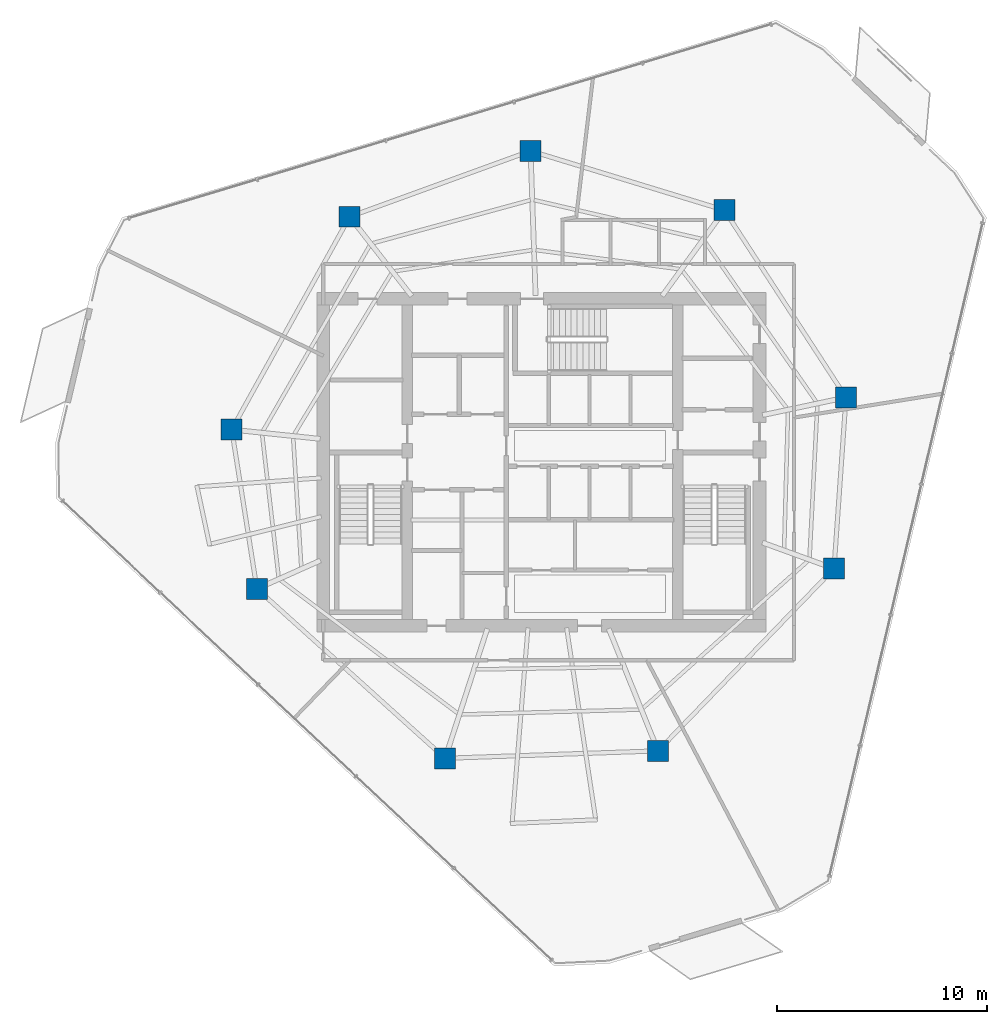
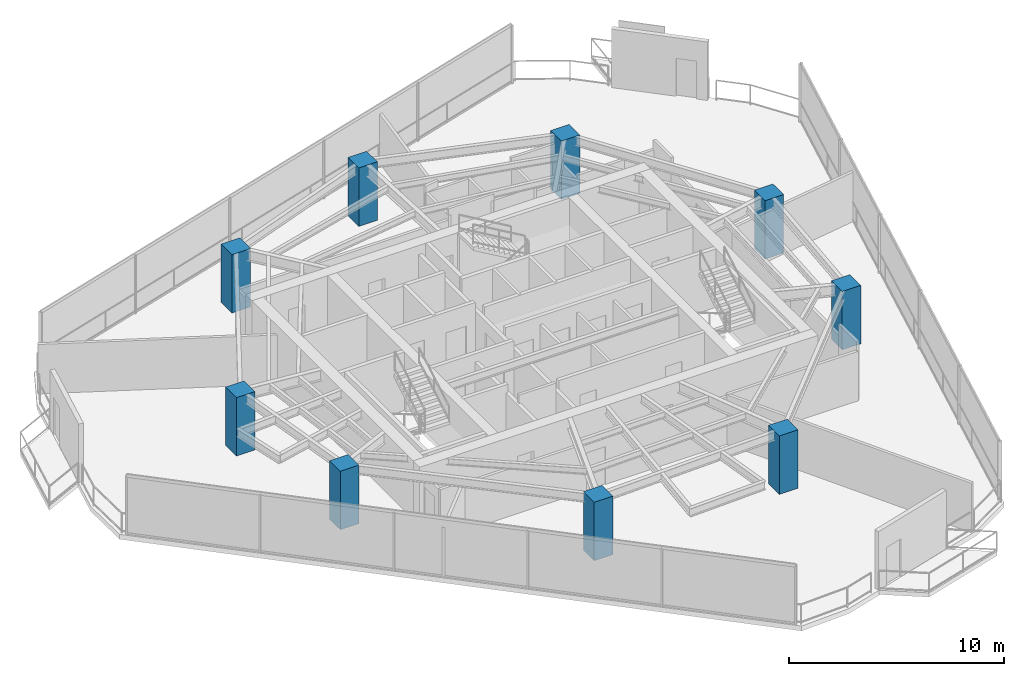
# One storey, part 1 of 19: 9 columns.
"""IFC4 building model written with IfcOpenShell, lengths in metres."""

from ifc_helpers import new_model, si_unit, direction, frame, origin, origin_2d, place, context, subcontext, project, spatial, rectangle, extrude, material, material_profile, profile_set, type_object, element, save


model = new_model("IFC4")

# Units and contexts
model_context = context("Model", 3, precision=1e-05, world=origin(), true_north=direction((0.0, 1.0)))
body_context = subcontext(model_context, "Body", "Model", "MODEL_VIEW")
ifc_project = project(units=[si_unit("LENGTHUNIT", "METRE"), si_unit("AREAUNIT", "SQUARE_METRE"), si_unit("VOLUMEUNIT", "CUBIC_METRE"), si_unit("PLANEANGLEUNIT", "RADIAN"), si_unit("MASSUNIT", "GRAM", prefix="KILO")], contexts=[model_context])

# Site, building, storey
site_placement = place(None, origin())
site = spatial("IfcSite", under=ifc_project, at=site_placement, CompositionType="ELEMENT")
building_placement = place(site_placement, origin())
building = spatial("IfcBuilding", under=site, at=building_placement, Name="Qarnah Convention Tower", CompositionType="ELEMENT")
storey_placement = place(building_placement, frame((0.0, 0.0, 129.300048828125)))
storey = spatial("IfcBuildingStorey", under=building, at=storey_placement, Name="L34", CompositionType="ELEMENT", Elevation=129.300048828125)

# Columns
ifc_material = material(Name="Concrete C60/75", Category="concrete")
ifc_material_profile = material_profile(ifc_material, rectangle(XDim=1.0, YDim=1.0, at=origin_2d()), Name="RC-COL-1000X1000")
ifc_profile_set = profile_set([ifc_material_profile], Name="Concrete C60/75")
column_type = type_object("IfcColumnType", Name="COL-Z3-1000", PredefinedType="COLUMN", material=ifc_profile_set)
for number, where, z_axis, x_axis, name in (
    (1, (51.72509765625, 29.487060546875, 0.0), (0.0, 0.0, 1.0), (1.0, 0.0, 0.0), "L34 plumb column PC-Z3-01"),
    (2, (45.928955078125, 38.4140625, 0.0), (0.0, 0.0, 1.0), (1.0, 0.0, 0.0), "L34 plumb column PC-Z3-02"),
    (3, (36.681884765625, 41.240966796875, 0.0), (0.0, 0.0, 1.0), (1.0, 0.0, 0.0), "L34 plumb column PC-Z3-03"),
    (4, (28.056884765625, 38.10205078125, 0.0), (0.0, 0.0, 1.0), (1.0, 0.0, 0.0), "L34 plumb column PC-Z3-04"),
    (5, (22.430908203125, 27.951904296875, 0.0), (0.0, 0.0, 1.0), (1.0, 0.0, 0.0), "L34 plumb column PC-Z3-05"),
    (6, (23.634033203125, 20.360107421875, 0.0), (0.0, 0.0, 1.0), (1.0, 0.0, 0.0), "L34 plumb column PC-Z3-06"),
    (7, (32.611083984375, 12.277099609375, 0.0), (0.0, 0.0, 1.0), (1.0, 0.0, 0.0), "L34 plumb column PC-Z3-07"),
    (8, (42.762939453125, 12.631103515625, 0.0), (0.0, 0.0, 1.0), (1.0, 0.0, 0.0), "L34 plumb column PC-Z3-08"),
    (9, (51.154052734375, 21.321044921875, 0.0), (0.0, 0.0, 1.0), (1.0, 0.0, 0.0), "L34 plumb column PC-Z3-09"),
):
    element("IfcColumn", number, at=place(storey_placement, frame(where, z_axis=z_axis, x_axis=x_axis)), inside=storey, type_object=column_type, Name=name, PredefinedType="COLUMN", context=body_context, shape_type="SweptSolid", body=[
        extrude(rectangle(XDim=1.0, YDim=1.0, at=origin_2d()), origin(), (0.0, 0.0, 1.0), 3.320068359375),
    ])

save(model, "model.ifc")
